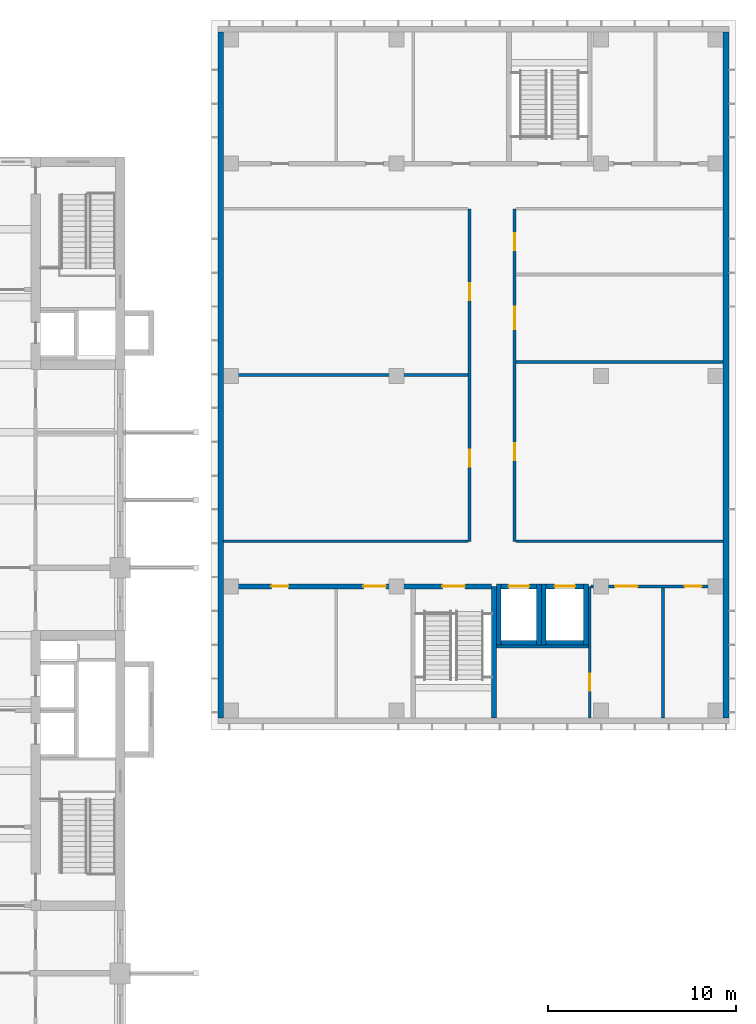
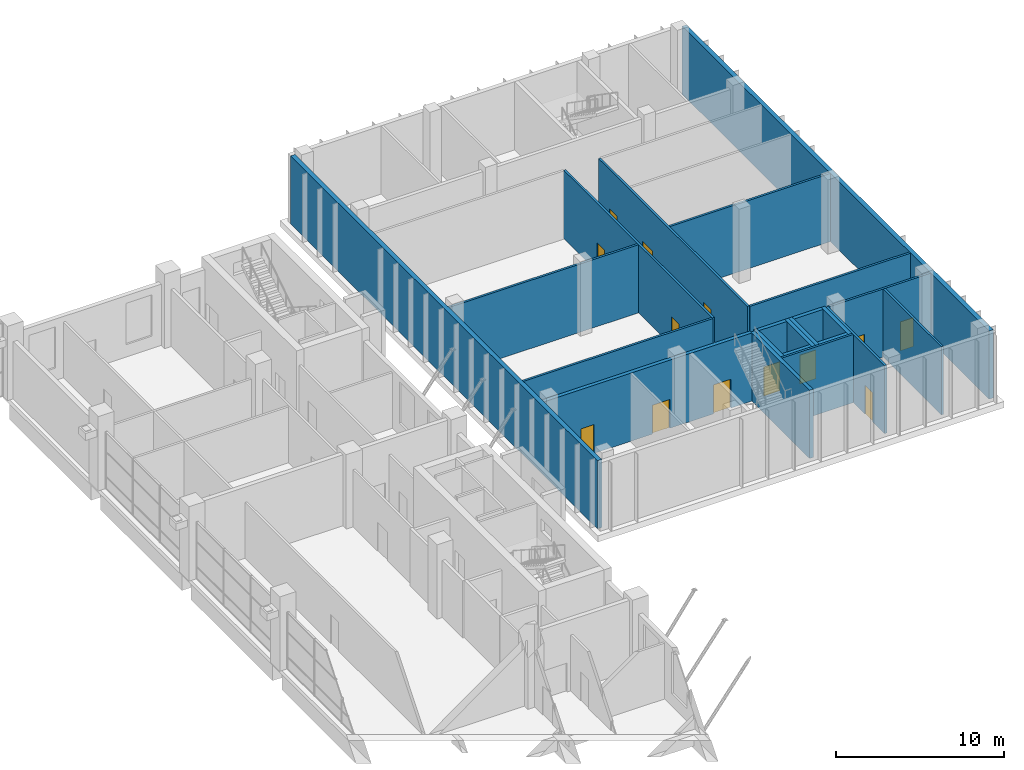
# One storey, part 23 of 38: 22 walls, 13 doors, 13 openings.
"""IFC4 building model written with IfcOpenShell, lengths in metres."""

from ifc_helpers import new_model, si_unit, direction, frame, frame_2d, origin, place, context, subcontext, project, spatial, rectangle, extrude, material, layer, layer_set, type_object, element, fill, save


model = new_model("IFC4")

# Units and contexts
model_context = context("Model", 3, precision=1e-05, world=origin(), true_north=direction((0.0, 1.0)))
body_context = subcontext(model_context, "Body", "Model", "MODEL_VIEW")
ifc_project = project(units=[si_unit("LENGTHUNIT", "METRE"), si_unit("AREAUNIT", "SQUARE_METRE"), si_unit("VOLUMEUNIT", "CUBIC_METRE"), si_unit("PLANEANGLEUNIT", "RADIAN"), si_unit("MASSUNIT", "GRAM", prefix="KILO")], contexts=[model_context])

# Site, building, storey
site_placement = place(None, origin())
site = spatial("IfcSite", under=ifc_project, at=site_placement, CompositionType="ELEMENT")
building_placement = place(site_placement, origin())
building = spatial("IfcBuilding", under=site, at=building_placement, Name="Basin Gate Institute", CompositionType="ELEMENT")
storey_placement = place(building_placement, frame((0.0, 0.0, 16.800048828125)))
storey = spatial("IfcBuildingStorey", under=building, at=storey_placement, Name="L03", CompositionType="ELEMENT", Elevation=16.800048828125)

# Wall, openings, doors
ifc_material_1 = material(Name="Concrete 40 MPa", Category="concrete")
ifc_layer_1 = layer(ifc_material_1, 0.25)
ifc_layer_set_1 = layer_set([ifc_layer_1], Name="Concrete 40 MPa")
wall_type_1 = type_object("IfcWallType", Name="Block enclosure wall W73 REI 120", PredefinedType="SOLIDWALL", material=ifc_layer_set_1)
wall_1_placement = place(storey_placement, frame((124.300048828125, 77.300048828125, 0.0), z_axis=(0.0, 0.0, 1.0), x_axis=(1.0, 0.0, 0.0)))
wall_1 = element("IfcWall", 1, at=wall_1_placement, inside=storey, type_object=wall_type_1, material=ifc_layer_set_1, Name="Stair and lift enclosure wall Cx7730-1 L03", PredefinedType="SOLIDWALL", context=body_context, shape_type="SweptSolid", body=[
    extrude(rectangle(XDim=14.27490234375, YDim=0.25, at=frame_2d((7.137451171875, 0.0))), origin(), (0.0, 0.0, 1.0), 4.949951171875),
])
opening_1_placement = place(wall_1_placement, frame((2.550048828125, 0.0, 0.0)))
opening_1 = element("IfcOpeningElement", 2, at=opening_1_placement, cuts=wall_1, Name="Opening D1057", PredefinedType="OPENING", context=body_context, shape_type="SweptSolid", body=[
    extrude(rectangle(XDim=0.89990234375, YDim=2.10009765625, at=frame_2d((0.449951171875, 1.050048828125))), frame((0.0, 0.135009765625, 0.0), z_axis=(0.0, -1.0, 0.0), x_axis=(1.0, 0.0, 0.0)), (0.0, 0.0, 1.0), 0.27001953125),
])
opening_2_placement = place(wall_1_placement, frame((7.449951171875, 0.0, 0.0)))
opening_2 = element("IfcOpeningElement", 3, at=opening_2_placement, cuts=wall_1, Name="Opening D1058", PredefinedType="OPENING", context=body_context, shape_type="SweptSolid", body=[
    extrude(rectangle(XDim=1.199951171875, YDim=2.10009765625, at=frame_2d((0.60009765625, 1.050048828125))), frame((0.0, 0.135009765625, 0.0), z_axis=(0.0, -1.0, 0.0), x_axis=(1.0, 0.0, 0.0)), (0.0, 0.0, 1.0), 0.27001953125),
])
opening_3_placement = place(wall_1_placement, frame((11.64990234375, 0.0, 0.0)))
opening_3 = element("IfcOpeningElement", 4, at=opening_3_placement, cuts=wall_1, Name="Opening D1072", PredefinedType="OPENING", context=body_context, shape_type="SweptSolid", body=[
    extrude(rectangle(XDim=1.199951171875, YDim=2.10009765625, at=frame_2d((0.60009765625, 1.050048828125))), frame((0.0, 0.135009765625, 0.0), z_axis=(0.0, -1.0, 0.0), x_axis=(1.0, 0.0, 0.0)), (0.0, 0.0, 1.0), 0.27001953125),
])
ifc_material_2 = material(Name="Timber door leaf in steel frame", Category="steel")
door_type_1 = type_object("IfcDoorType", Name="Block door 900 single swing", OperationType="NOTDEFINED", PredefinedType="DOOR", material=ifc_material_2)
door_1_placement = place(opening_1_placement, frame((0.89990234375, 0.0, 0.0), z_axis=(0.0, 0.0, 1.0), x_axis=(-1.0, 0.0, 0.0)))
door_1 = element("IfcDoor", 5, at=door_1_placement, inside=storey, type_object=door_type_1, material=ifc_material_2, Name="Exhaust Scrubber Room door L03", OperationType="SINGLE_SWING_RIGHT", OverallHeight=2.10009765625, OverallWidth=0.89990234375, PredefinedType="DOOR", context=body_context, shape_type="SweptSolid", body=[
    extrude(rectangle(XDim=0.89990234375, YDim=2.10009765625, at=frame_2d((0.449951171875, 1.050048828125))), frame((0.0, 0.02490234375, 0.0), z_axis=(0.0, -1.0, 0.0), x_axis=(1.0, 0.0, 0.0)), (0.0, 0.0, 1.0), 0.050048828125),
])
fill(opening_1, door_1)
ifc_material_3 = material(Name="Steel fire door leaf", Category="steel")
door_type_2 = type_object("IfcDoorType", Name="FD60 door 1200 single swing", OperationType="NOTDEFINED", PredefinedType="DOOR", material=ifc_material_3)
door_2_placement = place(opening_2_placement, frame((1.199951171875, 0.0, 0.0), z_axis=(0.0, 0.0, 1.0), x_axis=(-1.0, 0.0, 0.0)))
door_2 = element("IfcDoor", 6, at=door_2_placement, inside=storey, type_object=door_type_2, material=ifc_material_3, Name="Electrical Room door L03", OperationType="SINGLE_SWING_LEFT", OverallHeight=2.10009765625, OverallWidth=1.199951171875, PredefinedType="DOOR", context=body_context, shape_type="SweptSolid", body=[
    extrude(rectangle(XDim=1.199951171875, YDim=2.10009765625, at=frame_2d((0.60009765625, 1.050048828125))), frame((0.0, 0.02490234375, 0.0), z_axis=(0.0, -1.0, 0.0), x_axis=(1.0, 0.0, 0.0)), (0.0, 0.0, 1.0), 0.050048828125),
])
fill(opening_2, door_2)
door_3_placement = place(opening_3_placement, frame((1.199951171875, 0.0, 0.0), z_axis=(0.0, 0.0, 1.0), x_axis=(-1.0, 0.0, 0.0)))
door_3 = element("IfcDoor", 7, at=door_3_placement, inside=storey, type_object=door_type_2, material=ifc_material_3, Name="Stair door ST-C4 L03", OperationType="SINGLE_SWING_RIGHT", OverallHeight=2.10009765625, OverallWidth=1.199951171875, PredefinedType="DOOR", context=body_context, shape_type="SweptSolid", body=[
    extrude(rectangle(XDim=1.199951171875, YDim=2.10009765625, at=frame_2d((0.60009765625, 1.050048828125))), frame((0.0, 0.02490234375, 0.0), z_axis=(0.0, -1.0, 0.0), x_axis=(1.0, 0.0, 0.0)), (0.0, 0.0, 1.0), 0.050048828125),
])
fill(opening_3, door_3)

# Walls
wall_2_placement = place(storey_placement, frame((138.699951171875, 70.300048828125, 0.0), z_axis=(0.0, 0.0, 1.0), x_axis=(0.0, 1.0, 0.0)))
element("IfcWall", 8, at=wall_2_placement, inside=storey, type_object=wall_type_1, material=ifc_layer_set_1, Name="Stair and lift enclosure wall Cy13870-16 L03", PredefinedType="SOLIDWALL", context=body_context, shape_type="SweptSolid", body=[
    extrude(rectangle(XDim=7.0, YDim=0.25, at=frame_2d((3.5, 0.0))), origin(), (0.0, 0.0, 1.0), 4.949951171875),
])
ifc_material_4 = material(Name="Insulated sandwich panel, mineral wool core, galvanised sheet faces")
ifc_layer_2 = layer(ifc_material_4, 0.300048828125)
ifc_layer_set_2 = layer_set([ifc_layer_2], Name="Clean block insulated panel wall W80 EI 60")
wall_type_2 = type_object("IfcWallType", Name="Clean block insulated panel wall W80 EI 60", PredefinedType="SOLIDWALL", material=ifc_layer_set_2)
for number, where, z_axis, x_axis, name in (
    (9, (124.14990234375, 70.300048828125, 0.0), (0.0, 0.0, 1.0), (0.0, 1.0, 0.0), "Clean block insulated panel wall west L03"),
    (10, (151.050048828125, 70.300048828125, 0.0), (0.0, 0.0, 1.0), (0.0, 1.0, 0.0), "Clean block insulated panel wall east L03"),
):
    element("IfcWall", number, at=place(storey_placement, frame(where, z_axis=z_axis, x_axis=x_axis)), inside=storey, type_object=wall_type_2, material=ifc_layer_set_2, Name=name, PredefinedType="SOLIDWALL", context=body_context, shape_type="SweptSolid", body=[
        extrude(rectangle(XDim=36.5, YDim=0.300048828125, at=frame_2d((18.25, 0.0))), origin(), (0.0, 0.0, 1.0), 4.949951171875),
    ])
ifc_material_5 = material(Name="Gypsum board partition on steel studs, 60 minute", Category="steel")
ifc_layer_3 = layer(ifc_material_5, 0.14990234375)
ifc_layer_set_3 = layer_set([ifc_layer_3], Name="Gypsum board partition on steel studs, 60 minute")
wall_type_3 = type_object("IfcWallType", Name="Clean block partition PW72 EI 60", PredefinedType="SOLIDWALL", material=ifc_layer_set_3)
wall_3_placement = place(storey_placement, frame((138.824951171875, 74.10009765625, 0.0), z_axis=(0.0, 0.0, 1.0), x_axis=(1.0, 0.0, 0.0)))
element("IfcWall", 11, at=wall_3_placement, inside=storey, type_object=wall_type_3, material=ifc_layer_set_3, Name="Clean block partition Cx7410-0 L03", PredefinedType="SOLIDWALL", context=body_context, shape_type="SweptSolid", body=[
    extrude(rectangle(XDim=4.900146484375, YDim=0.14990234375, at=frame_2d((2.4501953125, 0.0))), origin(), (0.0, 0.0, 1.0), 4.949951171875),
])

# Wall, openings, doors
wall_4_placement = place(storey_placement, frame((143.875, 77.300048828125, 0.0), z_axis=(0.0, 0.0, 1.0), x_axis=(1.0, 0.0, 0.0)))
wall_4 = element("IfcWall", 12, at=wall_4_placement, inside=storey, type_object=wall_type_3, material=ifc_layer_set_3, Name="Clean block partition Cx7730-2 L03", PredefinedType="SOLIDWALL", context=body_context, shape_type="SweptSolid", body=[
    extrude(rectangle(XDim=7.02490234375, YDim=0.14990234375, at=frame_2d((3.512451171875, 0.0))), origin(), (0.0, 0.0, 1.0), 4.949951171875),
])
opening_4_placement = place(wall_4_placement, frame((1.27490234375, 0.0, 0.0)))
opening_4 = element("IfcOpeningElement", 13, at=opening_4_placement, cuts=wall_4, Name="Opening D1059", PredefinedType="OPENING", context=body_context, shape_type="SweptSolid", body=[
    extrude(rectangle(XDim=1.199951171875, YDim=2.10009765625, at=frame_2d((0.60009765625, 1.050048828125))), frame((0.0, 0.0849609375, 0.0), z_axis=(0.0, -1.0, 0.0), x_axis=(1.0, 0.0, 0.0)), (0.0, 0.0, 1.0), 0.169921875),
])
opening_5_placement = place(wall_4_placement, frame((4.97509765625, 0.0, 0.0)))
opening_5 = element("IfcOpeningElement", 14, at=opening_5_placement, cuts=wall_4, Name="Opening D1060", PredefinedType="OPENING", context=body_context, shape_type="SweptSolid", body=[
    extrude(rectangle(XDim=0.89990234375, YDim=2.10009765625, at=frame_2d((0.449951171875, 1.050048828125))), frame((0.0, 0.0849609375, 0.0), z_axis=(0.0, -1.0, 0.0), x_axis=(1.0, 0.0, 0.0)), (0.0, 0.0, 1.0), 0.169921875),
])
door_4_placement = place(opening_5_placement, frame((0.89990234375, 0.0, 0.0), z_axis=(0.0, 0.0, 1.0), x_axis=(-1.0, 0.0, 0.0)))
door_4 = element("IfcDoor", 15, at=door_4_placement, inside=storey, type_object=door_type_1, material=ifc_material_2, Name="Cleaning Store door L03", OperationType="SINGLE_SWING_LEFT", OverallHeight=2.10009765625, OverallWidth=0.89990234375, PredefinedType="DOOR", context=body_context, shape_type="SweptSolid", body=[
    extrude(rectangle(XDim=0.89990234375, YDim=2.10009765625, at=frame_2d((0.449951171875, 1.050048828125))), frame((0.0, 0.02490234375, 0.0), z_axis=(0.0, -1.0, 0.0), x_axis=(1.0, 0.0, 0.0)), (0.0, 0.0, 1.0), 0.050048828125),
])
fill(opening_5, door_4)
door_5_placement = place(opening_4_placement, frame((1.199951171875, 0.0, 0.0), z_axis=(0.0, 0.0, 1.0), x_axis=(-1.0, 0.0, 0.0)))
door_5 = element("IfcDoor", 16, at=door_5_placement, inside=storey, type_object=door_type_2, material=ifc_material_3, Name="Chemical Store door L03", OperationType="SINGLE_SWING_RIGHT", OverallHeight=2.10009765625, OverallWidth=1.199951171875, PredefinedType="DOOR", context=body_context, shape_type="SweptSolid", body=[
    extrude(rectangle(XDim=1.199951171875, YDim=2.10009765625, at=frame_2d((0.60009765625, 1.050048828125))), frame((0.0, 0.02490234375, 0.0), z_axis=(0.0, -1.0, 0.0), x_axis=(1.0, 0.0, 0.0)), (0.0, 0.0, 1.0), 0.050048828125),
])
fill(opening_4, door_5)

# Walls
wall_5_placement = place(storey_placement, frame((124.300048828125, 79.699951171875, 0.0), z_axis=(0.0, 0.0, 1.0), x_axis=(1.0, 0.0, 0.0)))
element("IfcWall", 17, at=wall_5_placement, inside=storey, type_object=wall_type_3, material=ifc_layer_set_3, Name="Clean block partition Cx7970-3 L03", PredefinedType="SOLIDWALL", context=body_context, shape_type="SweptSolid", body=[
    extrude(rectangle(XDim=13.02490234375, YDim=0.14990234375, at=frame_2d((6.512451171875, 0.0))), origin(), (0.0, 0.0, 1.0), 4.949951171875),
])
wall_6_placement = place(storey_placement, frame((139.875, 79.699951171875, 0.0), z_axis=(0.0, 0.0, 1.0), x_axis=(1.0, 0.0, 0.0)))
element("IfcWall", 18, at=wall_6_placement, inside=storey, type_object=wall_type_3, material=ifc_layer_set_3, Name="Clean block partition Cx7970-4 L03", PredefinedType="SOLIDWALL", context=body_context, shape_type="SweptSolid", body=[
    extrude(rectangle(XDim=11.02490234375, YDim=0.14990234375, at=frame_2d((5.512451171875, 0.0))), origin(), (0.0, 0.0, 1.0), 4.949951171875),
])
wall_7_placement = place(storey_placement, frame((124.300048828125, 88.550048828125, 0.0), z_axis=(0.0, 0.0, 1.0), x_axis=(1.0, 0.0, 0.0)))
element("IfcWall", 19, at=wall_7_placement, inside=storey, type_object=wall_type_3, material=ifc_layer_set_3, Name="Clean block partition Cx8855-5 L03", PredefinedType="SOLIDWALL", context=body_context, shape_type="SweptSolid", body=[
    extrude(rectangle(XDim=13.02490234375, YDim=0.14990234375, at=frame_2d((6.512451171875, 0.0))), origin(), (0.0, 0.0, 1.0), 4.949951171875),
])
wall_8_placement = place(storey_placement, frame((139.875, 89.2490234375, 0.0), z_axis=(0.0, 0.0, 1.0), x_axis=(1.0, 0.0, 0.0)))
element("IfcWall", 20, at=wall_8_placement, inside=storey, type_object=wall_type_3, material=ifc_layer_set_3, Name="Clean block partition Cx8925-6 L03", PredefinedType="SOLIDWALL", context=body_context, shape_type="SweptSolid", body=[
    extrude(rectangle(XDim=11.02490234375, YDim=0.14990234375, at=frame_2d((5.512451171875, 0.0))), origin(), (0.0, 0.0, 1.0), 4.949951171875),
])

# Wall, openings, doors
wall_9_placement = place(storey_placement, frame((137.39990234375, 79.699951171875, 0.0), z_axis=(0.0, 0.0, 1.0), x_axis=(0.0, 1.0, 0.0)))
wall_9 = element("IfcWall", 21, at=wall_9_placement, inside=storey, type_object=wall_type_3, material=ifc_layer_set_3, Name="Clean block partition Cy13740-15 L03", PredefinedType="SOLIDWALL", context=body_context, shape_type="SweptSolid", body=[
    extrude(rectangle(XDim=17.699951171875, YDim=0.14990234375, at=frame_2d((8.85009765625, 0.0))), origin(), (0.0, 0.0, 1.0), 4.949951171875),
])
opening_6_placement = place(wall_9_placement, frame((3.97509765625, 0.0, 0.0)))
opening_6 = element("IfcOpeningElement", 22, at=opening_6_placement, cuts=wall_9, Name="Opening D1061", PredefinedType="OPENING", context=body_context, shape_type="SweptSolid", body=[
    extrude(rectangle(XDim=0.89990234375, YDim=2.10009765625, at=frame_2d((0.449951171875, 1.050048828125))), frame((0.0, 0.0849609375, 0.0), z_axis=(0.0, -1.0, 0.0), x_axis=(1.0, 0.0, 0.0)), (0.0, 0.0, 1.0), 0.169921875),
])
opening_7_placement = place(wall_9_placement, frame((12.824951171875, 0.0, 0.0)))
opening_7 = element("IfcOpeningElement", 23, at=opening_7_placement, cuts=wall_9, Name="Opening D1062", PredefinedType="OPENING", context=body_context, shape_type="SweptSolid", body=[
    extrude(rectangle(XDim=0.89990234375, YDim=2.10009765625, at=frame_2d((0.449951171875, 1.050048828125))), frame((0.0, 0.0849609375, 0.0), z_axis=(0.0, -1.0, 0.0), x_axis=(1.0, 0.0, 0.0)), (0.0, 0.0, 1.0), 0.169921875),
])
door_6_placement = place(opening_6_placement, origin())
door_6 = element("IfcDoor", 24, at=door_6_placement, inside=storey, type_object=door_type_1, material=ifc_material_2, Name="Interstitial Plant Room 1 door L03", OperationType="SINGLE_SWING_LEFT", OverallHeight=2.10009765625, OverallWidth=0.89990234375, PredefinedType="DOOR", context=body_context, shape_type="SweptSolid", body=[
    extrude(rectangle(XDim=0.89990234375, YDim=2.10009765625, at=frame_2d((0.449951171875, 1.050048828125))), frame((0.0, 0.02490234375, 0.0), z_axis=(0.0, -1.0, 0.0), x_axis=(1.0, 0.0, 0.0)), (0.0, 0.0, 1.0), 0.050048828125),
])
fill(opening_6, door_6)
door_7_placement = place(opening_7_placement, origin())
door_7 = element("IfcDoor", 25, at=door_7_placement, inside=storey, type_object=door_type_1, material=ifc_material_2, Name="Interstitial Plant Room 2 door L03", OperationType="SINGLE_SWING_LEFT", OverallHeight=2.10009765625, OverallWidth=0.89990234375, PredefinedType="DOOR", context=body_context, shape_type="SweptSolid", body=[
    extrude(rectangle(XDim=0.89990234375, YDim=2.10009765625, at=frame_2d((0.449951171875, 1.050048828125))), frame((0.0, 0.02490234375, 0.0), z_axis=(0.0, -1.0, 0.0), x_axis=(1.0, 0.0, 0.0)), (0.0, 0.0, 1.0), 0.050048828125),
])
fill(opening_7, door_7)

wall_10_placement = place(storey_placement, frame((139.800048828125, 79.699951171875, 0.0), z_axis=(0.0, 0.0, 1.0), x_axis=(0.0, 1.0, 0.0)))
wall_10 = element("IfcWall", 26, at=wall_10_placement, inside=storey, type_object=wall_type_3, material=ifc_layer_set_3, Name="Clean block partition Cy13980-18 L03", PredefinedType="SOLIDWALL", context=body_context, shape_type="SweptSolid", body=[
    extrude(rectangle(XDim=17.699951171875, YDim=0.14990234375, at=frame_2d((8.85009765625, 0.0))), origin(), (0.0, 0.0, 1.0), 4.949951171875),
])
opening_8_placement = place(wall_10_placement, frame((4.324462890625, 0.0, 0.0)))
opening_8 = element("IfcOpeningElement", 27, at=opening_8_placement, cuts=wall_10, Name="Opening D1063", PredefinedType="OPENING", context=body_context, shape_type="SweptSolid", body=[
    extrude(rectangle(XDim=0.89990234375, YDim=2.10009765625, at=frame_2d((0.449951171875, 1.050048828125))), frame((0.0, 0.0849609375, 0.0), z_axis=(0.0, -1.0, 0.0), x_axis=(1.0, 0.0, 0.0)), (0.0, 0.0, 1.0), 0.169921875),
])
opening_9_placement = place(wall_10_placement, frame((11.278076171875, 0.0, 0.0)))
opening_9 = element("IfcOpeningElement", 28, at=opening_9_placement, cuts=wall_10, Name="Opening D1064", PredefinedType="OPENING", context=body_context, shape_type="SweptSolid", body=[
    extrude(rectangle(XDim=1.199951171875, YDim=2.10009765625, at=frame_2d((0.60009765625, 1.050048828125))), frame((0.0, 0.0849609375, 0.0), z_axis=(0.0, -1.0, 0.0), x_axis=(1.0, 0.0, 0.0)), (0.0, 0.0, 1.0), 0.169921875),
])
opening_10_placement = place(wall_10_placement, frame((15.50341796875, 0.0, 0.0)))
opening_10 = element("IfcOpeningElement", 29, at=opening_10_placement, cuts=wall_10, Name="Opening D1065", PredefinedType="OPENING", context=body_context, shape_type="SweptSolid", body=[
    extrude(rectangle(XDim=0.89990234375, YDim=2.10009765625, at=frame_2d((0.449951171875, 1.050048828125))), frame((0.0, 0.0849609375, 0.0), z_axis=(0.0, -1.0, 0.0), x_axis=(1.0, 0.0, 0.0)), (0.0, 0.0, 1.0), 0.169921875),
])
door_8_placement = place(opening_8_placement, frame((0.89990234375, 0.0, 0.0), z_axis=(0.0, 0.0, 1.0), x_axis=(-1.0, 0.0, 0.0)))
door_8 = element("IfcDoor", 30, at=door_8_placement, inside=storey, type_object=door_type_1, material=ifc_material_2, Name="Air Handling Plant Room door L03", OperationType="SINGLE_SWING_RIGHT", OverallHeight=2.10009765625, OverallWidth=0.89990234375, PredefinedType="DOOR", context=body_context, shape_type="SweptSolid", body=[
    extrude(rectangle(XDim=0.89990234375, YDim=2.10009765625, at=frame_2d((0.449951171875, 1.050048828125))), frame((0.0, 0.02490234375, 0.0), z_axis=(0.0, -1.0, 0.0), x_axis=(1.0, 0.0, 0.0)), (0.0, 0.0, 1.0), 0.050048828125),
])
fill(opening_8, door_8)
door_9_placement = place(opening_10_placement, frame((0.89990234375, 0.0, 0.0), z_axis=(0.0, 0.0, 1.0), x_axis=(-1.0, 0.0, 0.0)))
door_9 = element("IfcDoor", 31, at=door_9_placement, inside=storey, type_object=door_type_1, material=ifc_material_2, Name="Female WC door L03", OperationType="SINGLE_SWING_LEFT", OverallHeight=2.10009765625, OverallWidth=0.89990234375, PredefinedType="DOOR", context=body_context, shape_type="SweptSolid", body=[
    extrude(rectangle(XDim=0.89990234375, YDim=2.10009765625, at=frame_2d((0.449951171875, 1.050048828125))), frame((0.0, 0.02490234375, 0.0), z_axis=(0.0, -1.0, 0.0), x_axis=(1.0, 0.0, 0.0)), (0.0, 0.0, 1.0), 0.050048828125),
])
fill(opening_10, door_9)
door_10_placement = place(opening_9_placement, frame((1.199951171875, 0.0, 0.0), z_axis=(0.0, 0.0, 1.0), x_axis=(-1.0, 0.0, 0.0)))
door_10 = element("IfcDoor", 32, at=door_10_placement, inside=storey, type_object=door_type_2, material=ifc_material_3, Name="Electrical Room door L03", OperationType="SINGLE_SWING_LEFT", OverallHeight=2.10009765625, OverallWidth=1.199951171875, PredefinedType="DOOR", context=body_context, shape_type="SweptSolid", body=[
    extrude(rectangle(XDim=1.199951171875, YDim=2.10009765625, at=frame_2d((0.60009765625, 1.050048828125))), frame((0.0, 0.02490234375, 0.0), z_axis=(0.0, -1.0, 0.0), x_axis=(1.0, 0.0, 0.0)), (0.0, 0.0, 1.0), 0.050048828125),
])
fill(opening_9, door_10)

# Wall, opening, door
wall_11_placement = place(storey_placement, frame((143.800048828125, 70.300048828125, 0.0), z_axis=(0.0, 0.0, 1.0), x_axis=(0.0, 1.0, 0.0)))
wall_11 = element("IfcWall", 33, at=wall_11_placement, inside=storey, type_object=wall_type_3, material=ifc_layer_set_3, Name="Clean block partition Cy14380-19 L03", PredefinedType="SOLIDWALL", context=body_context, shape_type="SweptSolid", body=[
    extrude(rectangle(XDim=7.0, YDim=0.14990234375, at=frame_2d((3.5, 0.0))), origin(), (0.0, 0.0, 1.0), 4.949951171875),
])
opening_11_placement = place(wall_11_placement, frame((1.449951171875, 0.0, 0.0)))
opening_11 = element("IfcOpeningElement", 34, at=opening_11_placement, cuts=wall_11, Name="Opening D1070", PredefinedType="OPENING", context=body_context, shape_type="SweptSolid", body=[
    extrude(rectangle(XDim=0.89990234375, YDim=2.10009765625, at=frame_2d((0.449951171875, 1.050048828125))), frame((0.0, 0.0849609375, 0.0), z_axis=(0.0, -1.0, 0.0), x_axis=(1.0, 0.0, 0.0)), (0.0, 0.0, 1.0), 0.169921875),
])
door_11_placement = place(opening_11_placement, frame((0.89990234375, 0.0, 0.0), z_axis=(0.0, 0.0, 1.0), x_axis=(-1.0, 0.0, 0.0)))
door_11 = element("IfcDoor", 35, at=door_11_placement, inside=storey, type_object=door_type_1, material=ifc_material_2, Name="Riser Room door L03", OperationType="SINGLE_SWING_RIGHT", OverallHeight=2.10009765625, OverallWidth=0.89990234375, PredefinedType="DOOR", context=body_context, shape_type="SweptSolid", body=[
    extrude(rectangle(XDim=0.89990234375, YDim=2.10009765625, at=frame_2d((0.449951171875, 1.050048828125))), frame((0.0, 0.02490234375, 0.0), z_axis=(0.0, -1.0, 0.0), x_axis=(1.0, 0.0, 0.0)), (0.0, 0.0, 1.0), 0.050048828125),
])
fill(opening_11, door_11)

# Walls
wall_12_placement = place(storey_placement, frame((147.699951171875, 70.300048828125, 0.0), z_axis=(0.0, 0.0, 1.0), x_axis=(0.0, 1.0, 0.0)))
element("IfcWall", 36, at=wall_12_placement, inside=storey, type_object=wall_type_3, material=ifc_layer_set_3, Name="Clean block partition Cy14770-22 L03", PredefinedType="SOLIDWALL", context=body_context, shape_type="SweptSolid", body=[
    extrude(rectangle(XDim=6.925048828125, YDim=0.14990234375, at=frame_2d((3.46240234375, 0.0))), origin(), (0.0, 0.0, 1.0), 4.949951171875),
])
ifc_material_6 = material(Name="Concrete 40 MPa", Category="concrete")
ifc_layer_4 = layer(ifc_material_6, 0.25)
ifc_layer_set_4 = layer_set([ifc_layer_4], Name="Concrete 40 MPa")
wall_type_4 = type_object("IfcWallType", Name="Lift shaft enclosure wall W76 EI 120", PredefinedType="SOLIDWALL", material=ifc_layer_set_4)
wall_13_placement = place(storey_placement, frame((139.074951171875, 74.300048828125, 0.0), z_axis=(0.0, 0.0, 1.0), x_axis=(1.0, 0.0, 0.0)))
element("IfcWall", 37, at=wall_13_placement, inside=storey, type_object=wall_type_4, material=ifc_layer_set_4, Name="Lift shaft enclosure LP8 S L03", PredefinedType="SOLIDWALL", context=body_context, shape_type="SweptSolid", body=[
    extrude(rectangle(XDim=1.900146484375, YDim=0.25, at=frame_2d((0.9501953125, 0.0))), origin(), (0.0, 0.0, 1.0), 4.949951171875),
])

# Wall, opening, door
wall_14_placement = place(storey_placement, frame((139.074951171875, 77.300048828125, 0.0), z_axis=(0.0, 0.0, 1.0), x_axis=(1.0, 0.0, 0.0)))
wall_14 = element("IfcWall", 38, at=wall_14_placement, inside=storey, type_object=wall_type_4, material=ifc_layer_set_4, Name="Lift shaft enclosure LP8 N L03", PredefinedType="SOLIDWALL", context=body_context, shape_type="SweptSolid", body=[
    extrude(rectangle(XDim=1.900146484375, YDim=0.25, at=frame_2d((0.9501953125, 0.0))), origin(), (0.0, 0.0, 1.0), 4.949951171875),
])
opening_12_placement = place(wall_14_placement, frame((0.39990234375, 0.0, 0.0)))
opening_12 = element("IfcOpeningElement", 39, at=opening_12_placement, cuts=wall_14, Name="Opening LW47", PredefinedType="OPENING", context=body_context, shape_type="SweptSolid", body=[
    extrude(rectangle(XDim=1.10009765625, YDim=2.10009765625, at=frame_2d((0.550048828125, 1.050048828125))), frame((0.0, 0.135009765625, 0.0), z_axis=(0.0, -1.0, 0.0), x_axis=(1.0, 0.0, 0.0)), (0.0, 0.0, 1.0), 0.27001953125),
])
ifc_material_7 = material(Name="Stainless steel", Category="steel")
door_type_3 = type_object("IfcDoorType", Name="FD60 Lift landing door LD", OperationType="SLIDING_TO_LEFT", PredefinedType="DOOR", material=ifc_material_7)
door_12_placement = place(opening_12_placement, origin())
door_12 = element("IfcDoor", 40, at=door_12_placement, inside=storey, type_object=door_type_3, material=ifc_material_7, Name="Lift landing door LP8 L03", OperationType="SLIDING_TO_LEFT", OverallHeight=2.10009765625, OverallWidth=1.10009765625, PredefinedType="DOOR", context=body_context, shape_type="SweptSolid", body=[
    extrude(rectangle(XDim=1.10009765625, YDim=2.10009765625, at=frame_2d((0.550048828125, 1.050048828125))), frame((0.0, 0.02490234375, 0.0), z_axis=(0.0, -1.0, 0.0), x_axis=(1.0, 0.0, 0.0)), (0.0, 0.0, 1.0), 0.050048828125),
])
fill(opening_12, door_12)

# Walls
for number, where, z_axis, x_axis, name in (
    (41, (138.949951171875, 74.175048828125, 0.0), (0.0, 0.0, 1.0), (0.0, 1.0, 0.0), "Lift shaft enclosure LP8 W L03"),
    (42, (141.10009765625, 74.175048828125, 0.0), (0.0, 0.0, 1.0), (0.0, 1.0, 0.0), "Lift shaft enclosure LP8 E L03"),
):
    element("IfcWall", number, at=place(storey_placement, frame(where, z_axis=z_axis, x_axis=x_axis)), inside=storey, type_object=wall_type_4, material=ifc_layer_set_4, Name=name, PredefinedType="SOLIDWALL", context=body_context, shape_type="SweptSolid", body=[
        extrude(rectangle(XDim=3.25, YDim=0.25, at=frame_2d((1.625, 0.0))), origin(), (0.0, 0.0, 1.0), 4.949951171875),
    ])
wall_15_placement = place(storey_placement, frame((141.47509765625, 74.300048828125, 0.0), z_axis=(0.0, 0.0, 1.0), x_axis=(1.0, 0.0, 0.0)))
element("IfcWall", 43, at=wall_15_placement, inside=storey, type_object=wall_type_4, material=ifc_layer_set_4, Name="Lift shaft enclosure LG1 S L03", PredefinedType="SOLIDWALL", context=body_context, shape_type="SweptSolid", body=[
    extrude(rectangle(XDim=2.0, YDim=0.25, at=frame_2d((1.0, 0.0))), origin(), (0.0, 0.0, 1.0), 4.949951171875),
])

# Wall, opening, door
wall_16_placement = place(storey_placement, frame((141.47509765625, 77.300048828125, 0.0), z_axis=(0.0, 0.0, 1.0), x_axis=(1.0, 0.0, 0.0)))
wall_16 = element("IfcWall", 44, at=wall_16_placement, inside=storey, type_object=wall_type_4, material=ifc_layer_set_4, Name="Lift shaft enclosure LG1 N L03", PredefinedType="SOLIDWALL", context=body_context, shape_type="SweptSolid", body=[
    extrude(rectangle(XDim=2.0, YDim=0.25, at=frame_2d((1.0, 0.0))), origin(), (0.0, 0.0, 1.0), 4.949951171875),
])
opening_13_placement = place(wall_16_placement, frame((0.449951171875, 0.0, 0.0)))
opening_13 = element("IfcOpeningElement", 45, at=opening_13_placement, cuts=wall_16, Name="Opening LW48", PredefinedType="OPENING", context=body_context, shape_type="SweptSolid", body=[
    extrude(rectangle(XDim=1.10009765625, YDim=2.10009765625, at=frame_2d((0.550048828125, 1.050048828125))), frame((0.0, 0.135009765625, 0.0), z_axis=(0.0, -1.0, 0.0), x_axis=(1.0, 0.0, 0.0)), (0.0, 0.0, 1.0), 0.27001953125),
])
door_13_placement = place(opening_13_placement, origin())
door_13 = element("IfcDoor", 46, at=door_13_placement, inside=storey, type_object=door_type_3, material=ifc_material_7, Name="Lift landing door LG1 L03", OperationType="SLIDING_TO_LEFT", OverallHeight=2.10009765625, OverallWidth=1.10009765625, PredefinedType="DOOR", context=body_context, shape_type="SweptSolid", body=[
    extrude(rectangle(XDim=1.10009765625, YDim=2.10009765625, at=frame_2d((0.550048828125, 1.050048828125))), frame((0.0, 0.02490234375, 0.0), z_axis=(0.0, -1.0, 0.0), x_axis=(1.0, 0.0, 0.0)), (0.0, 0.0, 1.0), 0.050048828125),
])
fill(opening_13, door_13)

# Walls
for number, where, z_axis, x_axis, name in (
    (47, (141.35009765625, 74.175048828125, 0.0), (0.0, 0.0, 1.0), (0.0, 1.0, 0.0), "Lift shaft enclosure LG1 W L03"),
    (48, (143.60009765625, 74.175048828125, 0.0), (0.0, 0.0, 1.0), (0.0, 1.0, 0.0), "Lift shaft enclosure LG1 E L03"),
):
    element("IfcWall", number, at=place(storey_placement, frame(where, z_axis=z_axis, x_axis=x_axis)), inside=storey, type_object=wall_type_4, material=ifc_layer_set_4, Name=name, PredefinedType="SOLIDWALL", context=body_context, shape_type="SweptSolid", body=[
        extrude(rectangle(XDim=3.25, YDim=0.25, at=frame_2d((1.625, 0.0))), origin(), (0.0, 0.0, 1.0), 4.949951171875),
    ])

save(model, "model.ifc")
